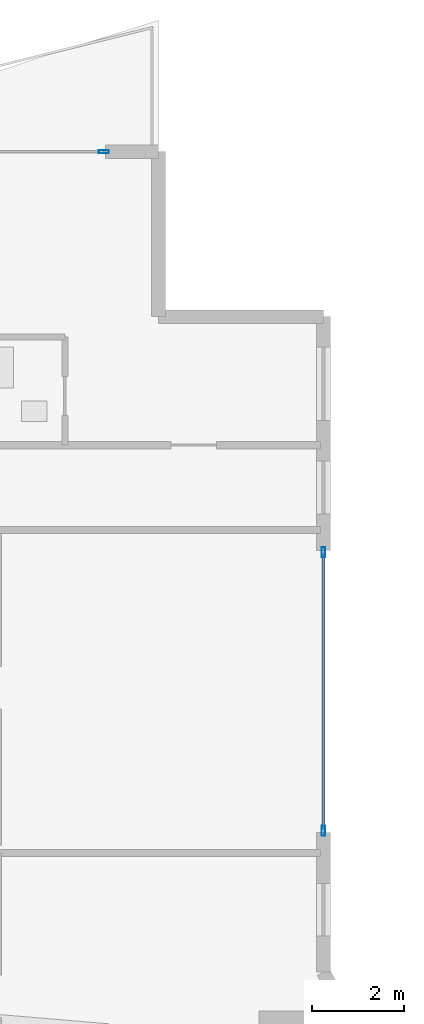
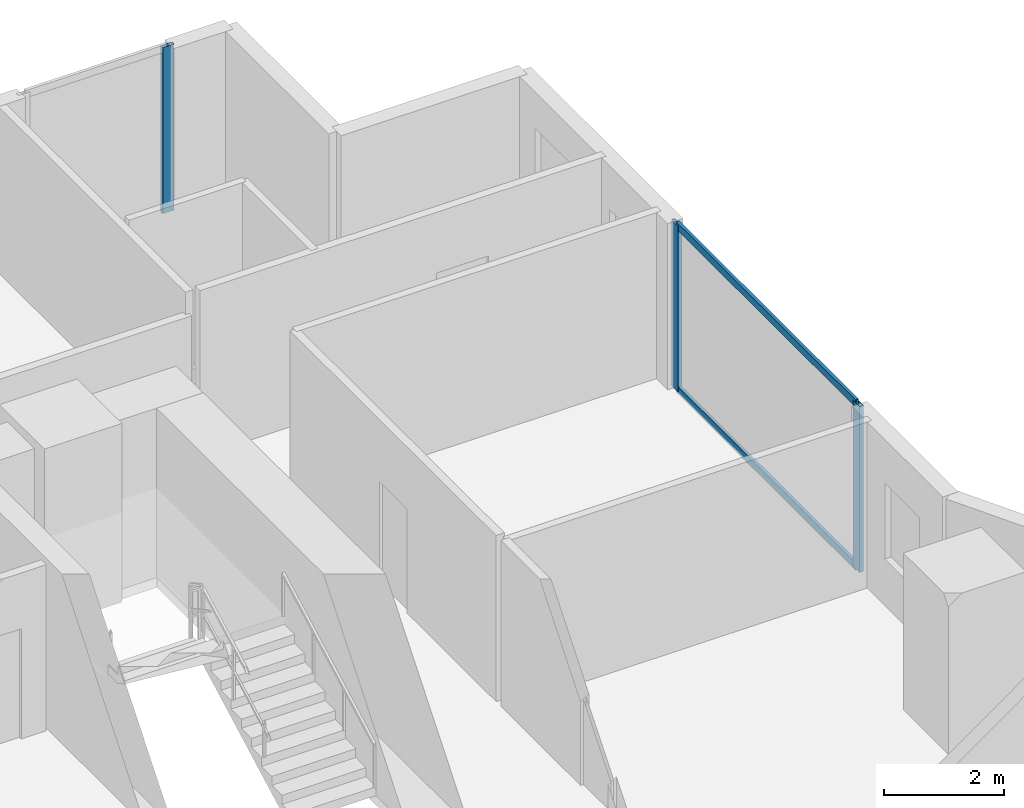
# One storey, part 17 of 30: 5 members, 2 elements without a shape of their own.
"""IFC4 building model written with IfcOpenShell, lengths in metres."""

from ifc_helpers import new_model, si_unit, direction, frame, origin, origin_2d, place, context, subcontext, project, spatial, hollow_rectangle, extrude, material, layer, layer_set, material_profile, profile_set, type_object, element, aggregate, save


model = new_model("IFC4")

# Units and contexts
model_context = context("Model", 3, precision=1e-05, world=origin(), true_north=direction((0.0, 1.0)))
body_context = subcontext(model_context, "Body", "Model", "MODEL_VIEW")
ifc_project = project(units=[si_unit("LENGTHUNIT", "METRE"), si_unit("AREAUNIT", "SQUARE_METRE"), si_unit("VOLUMEUNIT", "CUBIC_METRE"), si_unit("PLANEANGLEUNIT", "RADIAN"), si_unit("MASSUNIT", "GRAM", prefix="KILO")], contexts=[model_context])

# Site, building, storey
site_placement = place(None, origin())
site = spatial("IfcSite", under=ifc_project, at=site_placement, CompositionType="ELEMENT")
building_placement = place(site_placement, origin())
building = spatial("IfcBuilding", under=site, at=building_placement, Name="Zuhayl Quay Hotel", CompositionType="ELEMENT")
storey_placement = place(building_placement, frame((0.0, 0.0, 86.0)))
storey = spatial("IfcBuildingStorey", under=building, at=storey_placement, Name="L21", CompositionType="ELEMENT", Elevation=86.0)

# Curtain wall, member
ifc_material_1 = material(Name="Anodised Aluminium 6063-T6", Category="aluminium")
ifc_layer = layer(ifc_material_1, 0.18994140625, Name="Anodised Aluminium 6063-T6", Category="aluminium")
ifc_layer_set = layer_set([ifc_layer], Name="Anodised Aluminium 6063-T6")
curtain_wall_type = type_object("IfcCurtainWallType", Name="CW_SYS_Z1", PredefinedType="USERDEFINED", material=ifc_layer_set)
curtain_wall_1_placement = place(storey_placement, origin())
curtain_wall_1 = element("IfcCurtainWall", 1, at=curtain_wall_1_placement, inside=storey, type_object=curtain_wall_type, Name="L21 Curtain Wall ENV_L21_N_CW8", ObjectType="UNITISED CURTAIN WALL", PredefinedType="USERDEFINED")
ifc_material_2 = material(Name="Black-anodised aluminium 6063-T6", Category="aluminium")
ifc_material_profile_1 = material_profile(ifc_material_2, hollow_rectangle(XDim=0.074951171875, YDim=0.219970703125, WallThickness=0.00390625, at=origin_2d()), Name="ALU220X75")
ifc_profile_set_1 = profile_set([ifc_material_profile_1], Name="Black-anodised aluminium 6063-T6")
member_type_1 = type_object("IfcMemberType", Name="MB_CW_MUL_220", PredefinedType="MULLION", material=ifc_profile_set_1)
member_1_placement = place(storey_placement, frame((20.91259765625, 23.10009765625, 0.0), z_axis=(0.0, 0.0, 1.0), x_axis=(0.0, 1.0, 0.0)))
member_1 = element("IfcMember", 2, at=member_1_placement, type_object=member_type_1, Name="CW-Z1 mullion 2", PredefinedType="MULLION", context=body_context, shape_type="SweptSolid", body=[
    extrude(hollow_rectangle(XDim=0.074951171875, YDim=0.219970703125, WallThickness=0.00390625, at=origin_2d()), origin(), (0.0, 0.0, 1.0), 3.389892578125),
])
aggregate(curtain_wall_1, [member_1])

# Curtain wall, members
curtain_wall_2_placement = place(storey_placement, origin())
curtain_wall_2 = element("IfcCurtainWall", 3, at=curtain_wall_2_placement, inside=storey, type_object=curtain_wall_type, Name="L21 Curtain Wall ENV_L21_E11_CW1", ObjectType="UNITISED CURTAIN WALL", PredefinedType="USERDEFINED")
member_2_placement = place(storey_placement, frame((25.699951171875, 14.362548828125, 0.0), z_axis=(0.0, 0.0, 1.0), x_axis=(1.0, 0.0, 0.0)))
member_2 = element("IfcMember", 4, at=member_2_placement, type_object=member_type_1, Name="CW-Z1 mullion 1", PredefinedType="MULLION", context=body_context, shape_type="SweptSolid", body=[
    extrude(hollow_rectangle(XDim=0.074951171875, YDim=0.219970703125, WallThickness=0.00390625, at=origin_2d()), origin(), (0.0, 0.0, 1.0), 3.389892578125),
])
member_3_placement = place(storey_placement, frame((25.699951171875, 8.28759765625, 0.0), z_axis=(0.0, 0.0, 1.0), x_axis=(1.0, 0.0, 0.0)))
member_3 = element("IfcMember", 5, at=member_3_placement, type_object=member_type_1, Name="CW-Z1 mullion 2", PredefinedType="MULLION", context=body_context, shape_type="SweptSolid", body=[
    extrude(hollow_rectangle(XDim=0.074951171875, YDim=0.219970703125, WallThickness=0.00390625, at=origin_2d()), origin(), (0.0, 0.0, 1.0), 3.389892578125),
])
ifc_material_profile_2 = material_profile(ifc_material_2, hollow_rectangle(XDim=0.06005859375, YDim=0.14990234375, WallThickness=0.00341796875, at=origin_2d()), Name="ALU150X60")
ifc_profile_set_2 = profile_set([ifc_material_profile_2], Name="Black-anodised aluminium 6063-T6")
member_type_2 = type_object("IfcMemberType", Name="MB_CW_TRN_150", PredefinedType="USERDEFINED", material=ifc_profile_set_2)
member_4_placement = place(storey_placement, frame((25.699951171875, 14.324951171875, 0.030029296875), z_axis=(0.0, -1.0, 0.0), x_axis=(1.0, 0.0, 0.0)))
member_4 = element("IfcMember", 6, at=member_4_placement, type_object=member_type_2, Name="CW-Z1 transom 1.1", ObjectType="TRANSOM", PredefinedType="USERDEFINED", context=body_context, shape_type="SweptSolid", body=[
    extrude(hollow_rectangle(XDim=0.06005859375, YDim=0.14990234375, WallThickness=0.00341796875, at=origin_2d()), origin(), (0.0, 0.0, 1.0), 6.0),
])
member_5_placement = place(storey_placement, frame((25.699951171875, 14.324951171875, 3.360107421875), z_axis=(0.0, -1.0, 0.0), x_axis=(1.0, 0.0, 0.0)))
member_5 = element("IfcMember", 7, at=member_5_placement, type_object=member_type_2, Name="CW-Z1 transom 1.2", ObjectType="TRANSOM", PredefinedType="USERDEFINED", context=body_context, shape_type="SweptSolid", body=[
    extrude(hollow_rectangle(XDim=0.06005859375, YDim=0.14990234375, WallThickness=0.00341796875, at=origin_2d()), origin(), (0.0, 0.0, 1.0), 6.0),
])
aggregate(curtain_wall_2, [member_2, member_3, member_4, member_5])

save(model, "model.ifc")
